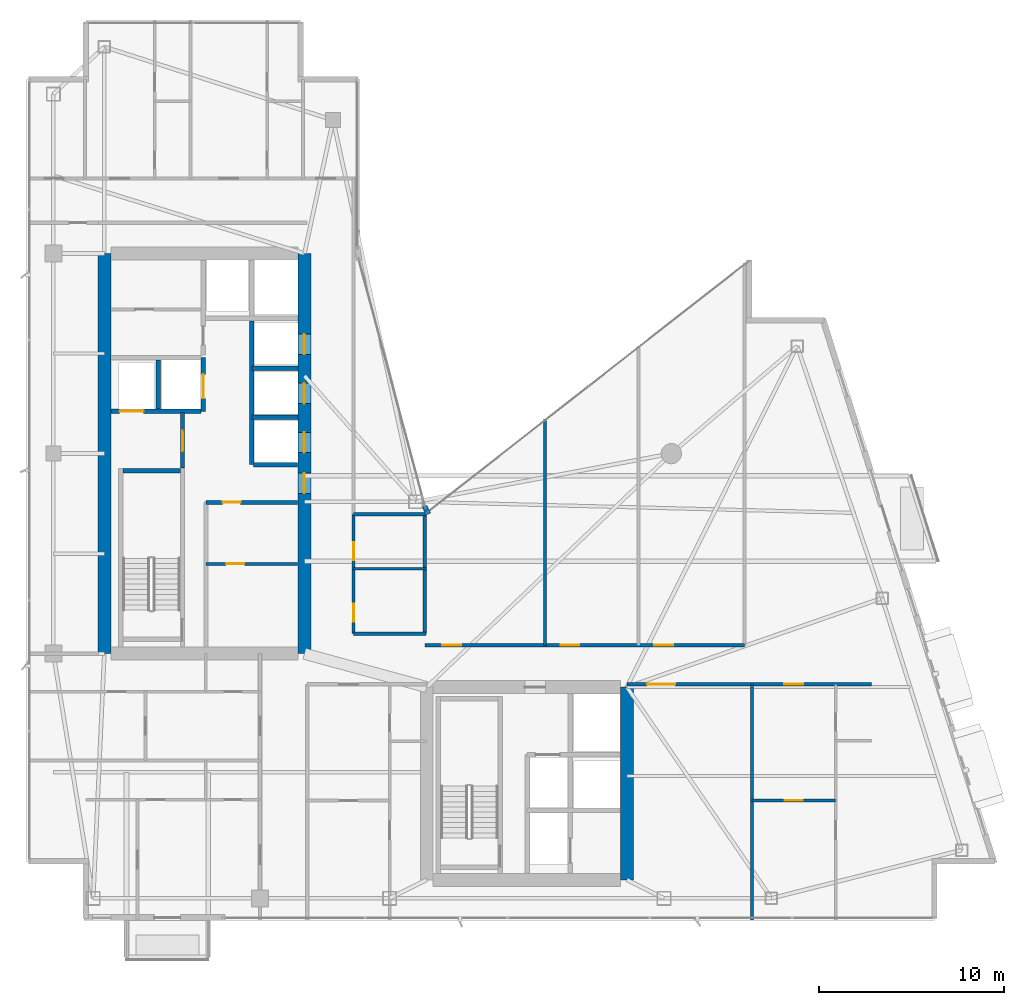
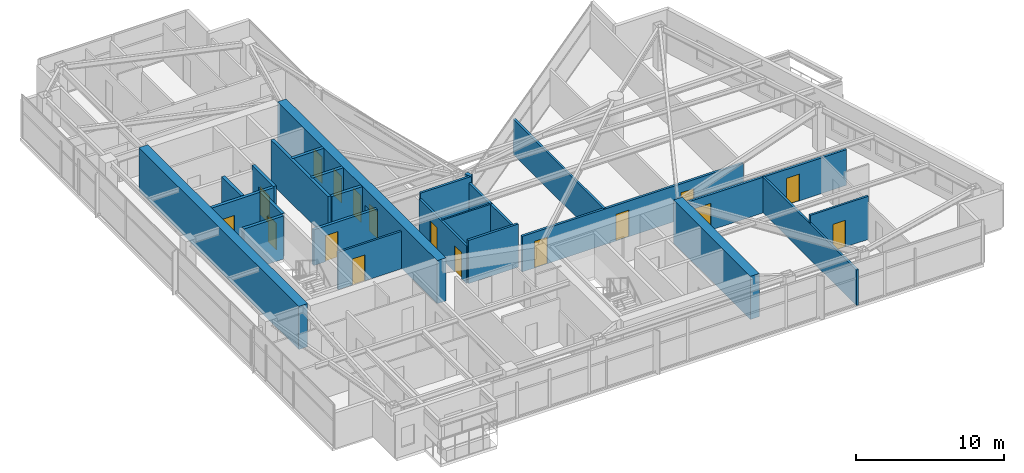
# One storey, part 25 of 30: 25 walls, 17 doors, 17 openings.
"""IFC4 building model written with IfcOpenShell, lengths in metres."""

from ifc_helpers import new_model, si_unit, direction, frame, frame_2d, origin, place, context, subcontext, project, spatial, rectangle, extrude, material, layer, layer_set, type_object, element, fill, save


model = new_model("IFC4")

# Units and contexts
model_context = context("Model", 3, precision=1e-05, world=origin(), true_north=direction((0.0, 1.0)))
body_context = subcontext(model_context, "Body", "Model", "MODEL_VIEW")
ifc_project = project(units=[si_unit("LENGTHUNIT", "METRE"), si_unit("AREAUNIT", "SQUARE_METRE"), si_unit("VOLUMEUNIT", "CUBIC_METRE"), si_unit("PLANEANGLEUNIT", "RADIAN"), si_unit("MASSUNIT", "GRAM", prefix="KILO")], contexts=[model_context])

# Site, building, storey
site_placement = place(None, origin())
site = spatial("IfcSite", under=ifc_project, at=site_placement, CompositionType="ELEMENT")
building_placement = place(site_placement, origin())
building = spatial("IfcBuilding", under=site, at=building_placement, Name="Calvorn Quay Hotel", CompositionType="ELEMENT")
storey_placement = place(building_placement, frame((0.0, 0.0, 207.199951171875)))
storey = spatial("IfcBuildingStorey", under=building, at=storey_placement, Name="L51", CompositionType="ELEMENT", Elevation=207.199951171875)

# Wall
ifc_material_1 = material(Name="Concrete C45", Category="concrete")
ifc_layer_1 = layer(ifc_material_1, 0.699951171875)
ifc_layer_set_1 = layer_set([ifc_layer_1], Name="WL-CORE-700")
wall_type_1 = type_object("IfcWallType", Name="WL-CORE-700", PredefinedType="SHEAR", material=ifc_layer_set_1)
wall_1_placement = place(storey_placement, frame((4.199951171875, 16.800048828125, 0.0), z_axis=(0.0, 0.0, 1.0), x_axis=(0.0, 1.0, 0.0)))
element("IfcWall", 1, at=wall_1_placement, inside=storey, type_object=wall_type_1, Name="West Core Shear Wall W (L51)", PredefinedType="SHEAR", context=body_context, shape_type="SweptSolid", body=[
    extrude(rectangle(XDim=21.599853515625, YDim=0.699951171875, at=frame_2d((10.7998046875, 0.0))), origin(), (0.0, 0.0, 1.0), 3.56005859375),
])

# Wall, openings, doors
wall_2_placement = place(storey_placement, frame((15.0, 16.800048828125, 0.0), z_axis=(0.0, 0.0, 1.0), x_axis=(0.0, 1.0, 0.0)))
wall_2 = element("IfcWall", 2, at=wall_2_placement, inside=storey, type_object=wall_type_1, Name="West Core Shear Wall E (L51)", PredefinedType="SHEAR", context=body_context, shape_type="SweptSolid", body=[
    extrude(rectangle(XDim=21.599853515625, YDim=0.699951171875, at=frame_2d((10.7998046875, 0.0))), origin(), (0.0, 0.0, 1.0), 3.56005859375),
])
opening_1_placement = place(wall_2_placement, frame((8.64990234375, 0.0, 0.0)))
opening_1 = element("IfcOpeningElement", 3, at=opening_1_placement, cuts=wall_2, Name="Opening D-L51-CW1", PredefinedType="OPENING", context=body_context, shape_type="SweptSolid", body=[
    extrude(rectangle(XDim=1.10009765625, YDim=2.199951171875, at=frame_2d((0.550048828125, 1.10009765625))), frame((0.0, 0.35986328125, 0.0), z_axis=(0.0, -1.0, 0.0), x_axis=(1.0, 0.0, 0.0)), (0.0, 0.0, 1.0), 0.719970703125),
])
opening_2_placement = place(wall_2_placement, frame((10.85009765625, 0.0, 0.0)))
opening_2 = element("IfcOpeningElement", 4, at=opening_2_placement, cuts=wall_2, Name="Opening LD-L51-M1", PredefinedType="OPENING", context=body_context, shape_type="SweptSolid", body=[
    extrude(rectangle(XDim=1.10009765625, YDim=2.199951171875, at=frame_2d((0.550048828125, 1.10009765625))), frame((0.0, 0.35986328125, 0.0), z_axis=(0.0, -1.0, 0.0), x_axis=(1.0, 0.0, 0.0)), (0.0, 0.0, 1.0), 0.719970703125),
])
opening_3_placement = place(wall_2_placement, frame((13.5, 0.0, 0.0)))
opening_3 = element("IfcOpeningElement", 5, at=opening_3_placement, cuts=wall_2, Name="Opening LD-L51-M2", PredefinedType="OPENING", context=body_context, shape_type="SweptSolid", body=[
    extrude(rectangle(XDim=1.10009765625, YDim=2.199951171875, at=frame_2d((0.550048828125, 1.10009765625))), frame((0.0, 0.35986328125, 0.0), z_axis=(0.0, -1.0, 0.0), x_axis=(1.0, 0.0, 0.0)), (0.0, 0.0, 1.0), 0.719970703125),
])
opening_4_placement = place(wall_2_placement, frame((16.14990234375, 0.0, 0.0)))
opening_4 = element("IfcOpeningElement", 6, at=opening_4_placement, cuts=wall_2, Name="Opening LD-L51-M3", PredefinedType="OPENING", context=body_context, shape_type="SweptSolid", body=[
    extrude(rectangle(XDim=1.10009765625, YDim=2.199951171875, at=frame_2d((0.550048828125, 1.10009765625))), frame((0.0, 0.35986328125, 0.0), z_axis=(0.0, -1.0, 0.0), x_axis=(1.0, 0.0, 0.0)), (0.0, 0.0, 1.0), 0.719970703125),
])
ifc_material_2 = material(Name="Smoke-Sealed Steel Class A Fire Door", Category="steel")
door_type_1 = type_object("IfcDoorType", Name="DR-FFLOBBY-1100", OperationType="NOTDEFINED", PredefinedType="DOOR", material=ifc_material_2)
door_1_placement = place(opening_1_placement, origin())
door_1 = element("IfcDoor", 7, at=door_1_placement, inside=storey, type_object=door_type_1, Name="West Core Vestibule Fire Door (L51)", OperationType="SINGLE_SWING_RIGHT", OverallHeight=2.199951171875, OverallWidth=1.10009765625, PredefinedType="DOOR", context=body_context, shape_type="SweptSolid", body=[
    extrude(rectangle(XDim=1.10009765625, YDim=2.199951171875, at=frame_2d((0.550048828125, 1.10009765625))), frame((0.0, 0.02490234375, 0.0), z_axis=(0.0, -1.0, 0.0), x_axis=(1.0, 0.0, 0.0)), (0.0, 0.0, 1.0), 0.050048828125),
])
fill(opening_1, door_1)
ifc_material_3 = material(Name="Brushed Stainless Steel Sliding Lift Landing Door", Category="steel")
door_type_2 = type_object("IfcDoorType", Name="DR-LIFT-PASS-1100", OperationType="NOTDEFINED", PredefinedType="DOOR", material=ifc_material_3)
door_2_placement = place(opening_2_placement, origin())
door_2 = element("IfcDoor", 8, at=door_2_placement, inside=storey, type_object=door_type_2, Name="Mid-Rise Lift PL-M1 Landing Door (L51)", OperationType="DOUBLE_DOOR_SLIDING", OverallHeight=2.199951171875, OverallWidth=1.10009765625, PredefinedType="DOOR", context=body_context, shape_type="SweptSolid", body=[
    extrude(rectangle(XDim=1.10009765625, YDim=2.199951171875, at=frame_2d((0.550048828125, 1.10009765625))), frame((0.0, 0.02490234375, 0.0), z_axis=(0.0, -1.0, 0.0), x_axis=(1.0, 0.0, 0.0)), (0.0, 0.0, 1.0), 0.050048828125),
])
fill(opening_2, door_2)
door_3_placement = place(opening_3_placement, origin())
door_3 = element("IfcDoor", 9, at=door_3_placement, inside=storey, type_object=door_type_2, Name="Mid-Rise Lift PL-M2 Landing Door (L51)", OperationType="DOUBLE_DOOR_SLIDING", OverallHeight=2.199951171875, OverallWidth=1.10009765625, PredefinedType="DOOR", context=body_context, shape_type="SweptSolid", body=[
    extrude(rectangle(XDim=1.10009765625, YDim=2.199951171875, at=frame_2d((0.550048828125, 1.10009765625))), frame((0.0, 0.02490234375, 0.0), z_axis=(0.0, -1.0, 0.0), x_axis=(1.0, 0.0, 0.0)), (0.0, 0.0, 1.0), 0.050048828125),
])
fill(opening_3, door_3)
door_4_placement = place(opening_4_placement, origin())
door_4 = element("IfcDoor", 10, at=door_4_placement, inside=storey, type_object=door_type_2, Name="Mid-Rise Lift PL-M3 Landing Door (L51)", OperationType="DOUBLE_DOOR_SLIDING", OverallHeight=2.199951171875, OverallWidth=1.10009765625, PredefinedType="DOOR", context=body_context, shape_type="SweptSolid", body=[
    extrude(rectangle(XDim=1.10009765625, YDim=2.199951171875, at=frame_2d((0.550048828125, 1.10009765625))), frame((0.0, 0.02490234375, 0.0), z_axis=(0.0, -1.0, 0.0), x_axis=(1.0, 0.0, 0.0)), (0.0, 0.0, 1.0), 0.050048828125),
])
fill(opening_4, door_4)

# Walls
wall_3_placement = place(storey_placement, frame((32.39990234375, 4.60009765625, 0.0), z_axis=(0.0, 0.0, 1.0), x_axis=(0.0, 1.0, 0.0)))
element("IfcWall", 11, at=wall_3_placement, inside=storey, type_object=wall_type_1, Name="East Core Shear Wall E (L51)", PredefinedType="SHEAR", context=body_context, shape_type="SweptSolid", body=[
    extrude(rectangle(XDim=10.39990234375, YDim=0.699951171875, at=frame_2d((5.199951171875, 0.0))), origin(), (0.0, 0.0, 1.0), 3.56005859375),
])
ifc_material_4 = material(Name="Acoustic Fireboard Steel-Stud Partition", Category="steel")
ifc_layer_2 = layer(ifc_material_4, 0.179931640625)
ifc_layer_set_2 = layer_set([ifc_layer_2], Name="WL-CORR-FIRE-180")
wall_type_2 = type_object("IfcWallType", Name="WL-CORR-FIRE-180", PredefinedType="PARTITIONING", material=ifc_layer_set_2)
wall_4_placement = place(storey_placement, frame((17.64990234375, 17.8798828125, 0.0), z_axis=(0.0, 0.0, 1.0), x_axis=(1.0, 0.0, 0.0)))
element("IfcWall", 12, at=wall_4_placement, inside=storey, type_object=wall_type_2, Name="Partition Wall L51-WL-HK-S", PredefinedType="PARTITIONING", context=body_context, shape_type="SweptSolid", body=[
    extrude(rectangle(XDim=3.900146484375, YDim=0.179931640625, at=frame_2d((1.9501953125, 0.0))), origin(), (0.0, 0.0, 1.0), 3.56005859375),
])
wall_5_placement = place(storey_placement, frame((17.64990234375, 24.320068359375, 0.0), z_axis=(0.0, 0.0, 1.0), x_axis=(1.0, 0.0, 0.0)))
element("IfcWall", 13, at=wall_5_placement, inside=storey, type_object=wall_type_2, Name="Partition Wall L51-WL-HK-N", PredefinedType="PARTITIONING", context=body_context, shape_type="SweptSolid", body=[
    extrude(rectangle(XDim=3.9501953125, YDim=0.179931640625, at=frame_2d((1.97509765625, 0.0))), origin(), (0.0, 0.0, 1.0), 3.56005859375),
])
wall_6_placement = place(storey_placement, frame((21.5, 17.8798828125, 0.0), z_axis=(0.0, 0.0, 1.0), x_axis=(0.0, 1.0, 0.0)))
element("IfcWall", 14, at=wall_6_placement, inside=storey, type_object=wall_type_2, Name="Partition Wall L51-WL-HK-E", PredefinedType="PARTITIONING", context=body_context, shape_type="SweptSolid", body=[
    extrude(rectangle(XDim=6.440185546875, YDim=0.179931640625, at=frame_2d((3.22021484375, 0.0))), origin(), (0.0, 0.0, 1.0), 3.090087890625),
])

# Wall, openings, doors
wall_7_placement = place(storey_placement, frame((17.64990234375, 17.8798828125, 0.0), z_axis=(0.0, 0.0, 1.0), x_axis=(0.0, 1.0, 0.0)))
wall_7 = element("IfcWall", 15, at=wall_7_placement, inside=storey, type_object=wall_type_2, Name="Partition Wall L51-WL-HK-W", PredefinedType="PARTITIONING", context=body_context, shape_type="SweptSolid", body=[
    extrude(rectangle(XDim=6.440185546875, YDim=0.179931640625, at=frame_2d((3.22021484375, 0.0))), origin(), (0.0, 0.0, 1.0), 3.090087890625),
])
opening_5_placement = place(wall_7_placement, frame((0.64990234375, 0.0, 0.0)))
opening_5 = element("IfcOpeningElement", 16, at=opening_5_placement, cuts=wall_7, Name="Opening D-L51-HK", PredefinedType="OPENING", context=body_context, shape_type="SweptSolid", body=[
    extrude(rectangle(XDim=0.97998046875, YDim=2.14990234375, at=frame_2d((0.489990234375, 1.074951171875))), frame((0.0, 0.099853515625, 0.0), z_axis=(0.0, -1.0, 0.0), x_axis=(1.0, 0.0, 0.0)), (0.0, 0.0, 1.0), 0.199951171875),
])
opening_6_placement = place(wall_7_placement, frame((3.969970703125, 0.0, 0.0)))
opening_6 = element("IfcOpeningElement", 17, at=opening_6_placement, cuts=wall_7, Name="Opening D-L51-NCP", PredefinedType="OPENING", context=body_context, shape_type="SweptSolid", body=[
    extrude(rectangle(XDim=0.9599609375, YDim=2.199951171875, at=frame_2d((0.47998046875, 1.10009765625))), frame((0.0, 0.099853515625, 0.0), z_axis=(0.0, -1.0, 0.0), x_axis=(1.0, 0.0, 0.0)), (0.0, 0.0, 1.0), 0.199951171875),
])
ifc_material_5 = material(Name="Painted Steel Housekeeping/Riser Fire Door", Category="steel")
door_type_3 = type_object("IfcDoorType", Name="DR-SERVICE-980", OperationType="NOTDEFINED", PredefinedType="DOOR", material=ifc_material_5)
door_5_placement = place(opening_5_placement, origin())
door_5 = element("IfcDoor", 18, at=door_5_placement, inside=storey, type_object=door_type_3, Name="Floor Housekeeping Door (L51)", OperationType="SINGLE_SWING_LEFT", OverallHeight=2.14990234375, OverallWidth=0.97998046875, PredefinedType="DOOR", context=body_context, shape_type="SweptSolid", body=[
    extrude(rectangle(XDim=0.97998046875, YDim=2.14990234375, at=frame_2d((0.489990234375, 1.074951171875))), frame((0.0, 0.02490234375, 0.0), z_axis=(0.0, -1.0, 0.0), x_axis=(1.0, 0.0, 0.0)), (0.0, 0.0, 1.0), 0.050048828125),
])
fill(opening_5, door_5)
ifc_material_6 = material(Name="Solid Timber Internal Suite Door", Category="wood")
door_type_4 = type_object("IfcDoorType", Name="DR-SUITE-INT-960", OperationType="NOTDEFINED", PredefinedType="DOOR", material=ifc_material_6)
door_6_placement = place(opening_6_placement, origin())
door_6 = element("IfcDoor", 19, at=door_6_placement, inside=storey, type_object=door_type_4, Name="Reading Alcove Door (L51)", OperationType="SINGLE_SWING_RIGHT", OverallHeight=2.199951171875, OverallWidth=0.9599609375, PredefinedType="DOOR", context=body_context, shape_type="SweptSolid", body=[
    extrude(rectangle(XDim=0.9599609375, YDim=2.199951171875, at=frame_2d((0.47998046875, 1.10009765625))), frame((0.0, 0.02490234375, 0.0), z_axis=(0.0, -1.0, 0.0), x_axis=(1.0, 0.0, 0.0)), (0.0, 0.0, 1.0), 0.050048828125),
])
fill(opening_6, door_6)

wall_8_placement = place(storey_placement, frame((32.39990234375, 15.14990234375, 0.0), z_axis=(0.0, 0.0, 1.0), x_axis=(1.0, 0.0, 0.0)))
wall_8 = element("IfcWall", 20, at=wall_8_placement, inside=storey, type_object=wall_type_2, Name="Partition Wall L51-WL-CORR-SE-S", PredefinedType="PARTITIONING", context=body_context, shape_type="SweptSolid", body=[
    extrude(rectangle(XDim=13.2001953125, YDim=0.179931640625, at=frame_2d((6.60009765625, 0.0))), origin(), (0.0, 0.0, 1.0), 2.93994140625),
])
opening_7_placement = place(wall_8_placement, frame((1.10009765625, 0.0, 0.0)))
opening_7 = element("IfcOpeningElement", 21, at=opening_7_placement, cuts=wall_8, Name="Opening D-L51-SEM", PredefinedType="OPENING", context=body_context, shape_type="SweptSolid", body=[
    extrude(rectangle(XDim=1.5, YDim=2.219970703125, at=frame_2d((0.75, 1.10986328125))), frame((0.0, 0.099853515625, 0.0), z_axis=(0.0, -1.0, 0.0), x_axis=(1.0, 0.0, 0.0)), (0.0, 0.0, 1.0), 0.199951171875),
])
opening_8_placement = place(wall_8_placement, frame((8.5, 0.0, 0.0)))
opening_8 = element("IfcOpeningElement", 22, at=opening_8_placement, cuts=wall_8, Name="Opening D-L51-U06", PredefinedType="OPENING", context=body_context, shape_type="SweptSolid", body=[
    extrude(rectangle(XDim=1.02001953125, YDim=2.199951171875, at=frame_2d((0.510009765625, 1.10009765625))), frame((0.0, 0.099853515625, 0.0), z_axis=(0.0, -1.0, 0.0), x_axis=(1.0, 0.0, 0.0)), (0.0, 0.0, 1.0), 0.199951171875),
])
ifc_material_7 = material(Name="Solid-Core Walnut Veneer Hotel Fire Door")
door_type_5 = type_object("IfcDoorType", Name="DR-GUEST-ENTRY-1020", OperationType="NOTDEFINED", PredefinedType="DOOR", material=ifc_material_7)
door_7_placement = place(opening_8_placement, origin())
door_7 = element("IfcDoor", 23, at=door_7_placement, inside=storey, type_object=door_type_5, Name="South-East Unit Door U06 (L51)", OperationType="SINGLE_SWING_RIGHT", OverallHeight=2.199951171875, OverallWidth=1.02001953125, PredefinedType="DOOR", context=body_context, shape_type="SweptSolid", body=[
    extrude(rectangle(XDim=1.02001953125, YDim=2.199951171875, at=frame_2d((0.510009765625, 1.10009765625))), frame((0.0, 0.02490234375, 0.0), z_axis=(0.0, -1.0, 0.0), x_axis=(1.0, 0.0, 0.0)), (0.0, 0.0, 1.0), 0.050048828125),
])
fill(opening_8, door_7)
ifc_material_8 = material(Name="Solid-Core Walnut Double Suite Entry Door")
door_type_6 = type_object("IfcDoorType", Name="DR-SUITE-DBL-1500", OperationType="NOTDEFINED", PredefinedType="DOOR", material=ifc_material_8)
door_8_placement = place(opening_7_placement, origin())
door_8 = element("IfcDoor", 24, at=door_8_placement, inside=storey, type_object=door_type_6, Name="Conference Salon Door (L51)", OperationType="SINGLE_SWING_LEFT", OverallHeight=2.219970703125, OverallWidth=1.5, PredefinedType="DOOR", context=body_context, shape_type="SweptSolid", body=[
    extrude(rectangle(XDim=1.5, YDim=2.219970703125, at=frame_2d((0.75, 1.10986328125))), frame((0.0, 0.02490234375, 0.0), z_axis=(0.0, -1.0, 0.0), x_axis=(1.0, 0.0, 0.0)), (0.0, 0.0, 1.0), 0.050048828125),
])
fill(opening_7, door_8)

wall_9_placement = place(storey_placement, frame((21.5, 17.25, 0.0), z_axis=(0.0, 0.0, 1.0), x_axis=(1.0, 0.0, 0.0)))
wall_9 = element("IfcWall", 25, at=wall_9_placement, inside=storey, type_object=wall_type_2, Name="Partition Wall L51-WL-CORR-NE-N", PredefinedType="PARTITIONING", context=body_context, shape_type="SweptSolid", body=[
    extrude(rectangle(XDim=17.25, YDim=0.179931640625, at=frame_2d((8.625, 0.0))), origin(), (0.0, 0.0, 1.0), 2.93994140625),
])
opening_9_placement = place(wall_9_placement, frame((0.949951171875, 0.0, 0.0)))
opening_9 = element("IfcOpeningElement", 26, at=opening_9_placement, cuts=wall_9, Name="Opening D-L51-NS1", PredefinedType="OPENING", context=body_context, shape_type="SweptSolid", body=[
    extrude(rectangle(XDim=1.02001953125, YDim=2.199951171875, at=frame_2d((0.510009765625, 1.10009765625))), frame((0.0, 0.099853515625, 0.0), z_axis=(0.0, -1.0, 0.0), x_axis=(1.0, 0.0, 0.0)), (0.0, 0.0, 1.0), 0.199951171875),
])
opening_10_placement = place(wall_9_placement, frame((7.320068359375, 0.0, 0.0)))
opening_10 = element("IfcOpeningElement", 27, at=opening_10_placement, cuts=wall_9, Name="Opening D-L51-NS2", PredefinedType="OPENING", context=body_context, shape_type="SweptSolid", body=[
    extrude(rectangle(XDim=1.02001953125, YDim=2.199951171875, at=frame_2d((0.510009765625, 1.10009765625))), frame((0.0, 0.099853515625, 0.0), z_axis=(0.0, -1.0, 0.0), x_axis=(1.0, 0.0, 0.0)), (0.0, 0.0, 1.0), 0.199951171875),
])
opening_11_placement = place(wall_9_placement, frame((12.3798828125, 0.0, 0.0)))
opening_11 = element("IfcOpeningElement", 28, at=opening_11_placement, cuts=wall_9, Name="Opening D-L51-NS3", PredefinedType="OPENING", context=body_context, shape_type="SweptSolid", body=[
    extrude(rectangle(XDim=1.02001953125, YDim=2.199951171875, at=frame_2d((0.510009765625, 1.10009765625))), frame((0.0, 0.099853515625, 0.0), z_axis=(0.0, -1.0, 0.0), x_axis=(1.0, 0.0, 0.0)), (0.0, 0.0, 1.0), 0.199951171875),
])
door_9_placement = place(opening_9_placement, origin())
door_9 = element("IfcDoor", 29, at=door_9_placement, inside=storey, type_object=door_type_5, Name="Conservatory Salon Door 1 (L51)", OperationType="SINGLE_SWING_RIGHT", OverallHeight=2.199951171875, OverallWidth=1.02001953125, PredefinedType="DOOR", context=body_context, shape_type="SweptSolid", body=[
    extrude(rectangle(XDim=1.02001953125, YDim=2.199951171875, at=frame_2d((0.510009765625, 1.10009765625))), frame((0.0, 0.02490234375, 0.0), z_axis=(0.0, -1.0, 0.0), x_axis=(1.0, 0.0, 0.0)), (0.0, 0.0, 1.0), 0.050048828125),
])
fill(opening_9, door_9)
door_10_placement = place(opening_10_placement, origin())
door_10 = element("IfcDoor", 30, at=door_10_placement, inside=storey, type_object=door_type_5, Name="Conservatory Salon Door 2 (L51)", OperationType="SINGLE_SWING_LEFT", OverallHeight=2.199951171875, OverallWidth=1.02001953125, PredefinedType="DOOR", context=body_context, shape_type="SweptSolid", body=[
    extrude(rectangle(XDim=1.02001953125, YDim=2.199951171875, at=frame_2d((0.510009765625, 1.10009765625))), frame((0.0, 0.02490234375, 0.0), z_axis=(0.0, -1.0, 0.0), x_axis=(1.0, 0.0, 0.0)), (0.0, 0.0, 1.0), 0.050048828125),
])
fill(opening_10, door_10)
door_11_placement = place(opening_11_placement, origin())
door_11 = element("IfcDoor", 31, at=door_11_placement, inside=storey, type_object=door_type_5, Name="Conservatory Salon Door 3 (L51)", OperationType="SINGLE_SWING_RIGHT", OverallHeight=2.199951171875, OverallWidth=1.02001953125, PredefinedType="DOOR", context=body_context, shape_type="SweptSolid", body=[
    extrude(rectangle(XDim=1.02001953125, YDim=2.199951171875, at=frame_2d((0.510009765625, 1.10009765625))), frame((0.0, 0.02490234375, 0.0), z_axis=(0.0, -1.0, 0.0), x_axis=(1.0, 0.0, 0.0)), (0.0, 0.0, 1.0), 0.050048828125),
])
fill(opening_11, door_11)

# Walls
ifc_material_9 = material(Name="Moisture-Resistant Tile-Backed Partition")
ifc_layer_3 = layer(ifc_material_9, 0.125)
ifc_layer_set_3 = layer_set([ifc_layer_3], Name="WL-ENSUITE-125")
wall_type_3 = type_object("IfcWallType", Name="WL-ENSUITE-125", PredefinedType="PARTITIONING", material=ifc_layer_set_3)
wall_10_placement = place(storey_placement, frame((17.64990234375, 21.3798828125, 0.0), z_axis=(0.0, 0.0, 1.0), x_axis=(1.0, 0.0, 0.0)))
element("IfcWall", 32, at=wall_10_placement, inside=storey, type_object=wall_type_3, Name="Partition Wall L51-WL-HK-M", PredefinedType="PARTITIONING", context=body_context, shape_type="SweptSolid", body=[
    extrude(rectangle(XDim=3.900146484375, YDim=0.125, at=frame_2d((1.9501953125, 0.0))), origin(), (0.0, 0.0, 1.0), 3.090087890625),
])
ifc_material_10 = material(Name="Concrete C40", Category="concrete")
ifc_layer_4 = layer(ifc_material_10, 0.320068359375)
ifc_layer_set_4 = layer_set([ifc_layer_4], Name="WL-EXT-SPANDREL-320")
wall_type_4 = type_object("IfcWallType", Name="WL-EXT-SPANDREL-320", PredefinedType="SOLIDWALL", material=ifc_layer_set_4)
wall_11_placement = place(storey_placement, frame((21.679931640625, 24.340087890625, 0.0), z_axis=(0.0, 0.0, 1.0), x_axis=(-0.40758134973, 0.913168901875, 0.0)))
element("IfcWall", 33, at=wall_11_placement, inside=storey, type_object=wall_type_4, Name="Inner Court Corner Pier L51-ICJ1", PredefinedType="SOLIDWALL", context=body_context, shape_type="SweptSolid", body=[
    extrude(rectangle(XDim=0.470703125, YDim=0.280029296875, at=frame_2d((0.2353515625, 0.0))), origin(), (0.0, 0.0, 1.0), 3.56005859375),
])

# Wall, opening, door
ifc_material_11 = material(Name="Double-Stud Acoustic Gypsum Partition")
ifc_layer_5 = layer(ifc_material_11, 0.159912109375)
ifc_layer_set_5 = layer_set([ifc_layer_5], Name="WL-INTERSUITE-160")
wall_type_5 = type_object("IfcWallType", Name="WL-INTERSUITE-160", PredefinedType="PARTITIONING", material=ifc_layer_set_5)
wall_12_placement = place(storey_placement, frame((9.679931640625, 21.64990234375, 0.0), z_axis=(0.0, 0.0, 1.0), x_axis=(1.0, 0.0, 0.0)))
wall_12 = element("IfcWall", 34, at=wall_12_placement, inside=storey, type_object=wall_type_5, Name="Partition Wall L51-WL-CWW-FR-SPLIT", PredefinedType="PARTITIONING", context=body_context, shape_type="SweptSolid", body=[
    extrude(rectangle(XDim=4.949951171875, YDim=0.159912109375, at=frame_2d((2.47509765625, 0.0))), origin(), (0.0, 0.0, 1.0), 3.090087890625),
])
opening_12_placement = place(wall_12_placement, frame((1.10009765625, 0.0, 0.0)))
opening_12 = element("IfcOpeningElement", 35, at=opening_12_placement, cuts=wall_12, Name="Opening D-L51-FRL1", PredefinedType="OPENING", context=body_context, shape_type="SweptSolid", body=[
    extrude(rectangle(XDim=0.97998046875, YDim=2.14990234375, at=frame_2d((0.489990234375, 1.074951171875))), frame((0.0, 0.08984375, 0.0), z_axis=(0.0, -1.0, 0.0), x_axis=(1.0, 0.0, 0.0)), (0.0, 0.0, 1.0), 0.179931640625),
])
door_12_placement = place(opening_12_placement, origin())
door_12 = element("IfcDoor", 36, at=door_12_placement, inside=storey, type_object=door_type_3, Name="Linen Store Room Door (L51)", OperationType="SINGLE_SWING_LEFT", OverallHeight=2.14990234375, OverallWidth=0.97998046875, PredefinedType="DOOR", context=body_context, shape_type="SweptSolid", body=[
    extrude(rectangle(XDim=0.97998046875, YDim=2.14990234375, at=frame_2d((0.489990234375, 1.074951171875))), frame((0.0, 0.02490234375, 0.0), z_axis=(0.0, -1.0, 0.0), x_axis=(1.0, 0.0, 0.0)), (0.0, 0.0, 1.0), 0.050048828125),
])
fill(opening_12, door_12)

wall_13_placement = place(storey_placement, frame((39.14990234375, 8.8798828125, 0.0), z_axis=(0.0, 0.0, 1.0), x_axis=(1.0, 0.0, 0.0)))
wall_13 = element("IfcWall", 37, at=wall_13_placement, inside=storey, type_object=wall_type_5, Name="Partition Wall L51-WL-U06-MSP", PredefinedType="PARTITIONING", context=body_context, shape_type="SweptSolid", body=[
    extrude(rectangle(XDim=4.52001953125, YDim=0.159912109375, at=frame_2d((2.260009765625, 0.0))), origin(), (0.0, 0.0, 1.0), 3.56005859375),
])
opening_13_placement = place(wall_13_placement, frame((1.780029296875, 0.0, 0.0)))
opening_13 = element("IfcOpeningElement", 38, at=opening_13_placement, cuts=wall_13, Name="Opening D-L51-M06", PredefinedType="OPENING", context=body_context, shape_type="SweptSolid", body=[
    extrude(rectangle(XDim=0.9599609375, YDim=2.199951171875, at=frame_2d((0.47998046875, 1.10009765625))), frame((0.0, 0.08984375, 0.0), z_axis=(0.0, -1.0, 0.0), x_axis=(1.0, 0.0, 0.0)), (0.0, 0.0, 1.0), 0.179931640625),
])
door_13_placement = place(opening_13_placement, origin())
door_13 = element("IfcDoor", 39, at=door_13_placement, inside=storey, type_object=door_type_4, Name="Suite Bedroom Door 06", OperationType="SINGLE_SWING_LEFT", OverallHeight=2.199951171875, OverallWidth=0.9599609375, PredefinedType="DOOR", context=body_context, shape_type="SweptSolid", body=[
    extrude(rectangle(XDim=0.9599609375, YDim=2.199951171875, at=frame_2d((0.47998046875, 1.10009765625))), frame((0.0, 0.02490234375, 0.0), z_axis=(0.0, -1.0, 0.0), x_axis=(1.0, 0.0, 0.0)), (0.0, 0.0, 1.0), 0.050048828125),
])
fill(opening_13, door_13)

# Walls
wall_14_placement = place(storey_placement, frame((39.14990234375, 2.43994140625, 0.0), z_axis=(0.0, 0.0, 1.0), x_axis=(0.0, 1.0, 0.0)))
element("IfcWall", 40, at=wall_14_placement, inside=storey, type_object=wall_type_5, Name="Partition Wall L51-WL-SE-DIV-1", PredefinedType="PARTITIONING", context=body_context, shape_type="SweptSolid", body=[
    extrude(rectangle(XDim=12.7099609375, YDim=0.159912109375, at=frame_2d((6.35498046875, 0.0))), origin(), (0.0, 0.0, 1.0), 2.93994140625),
])
wall_15_placement = place(storey_placement, frame((27.969970703125, 17.25, 0.0), z_axis=(0.0, 0.0, 1.0), x_axis=(0.0, 1.0, 0.0)))
element("IfcWall", 41, at=wall_15_placement, inside=storey, type_object=wall_type_5, Name="Partition Wall L51-WL-NE-DIV-1", PredefinedType="PARTITIONING", context=body_context, shape_type="SweptSolid", body=[
    extrude(rectangle(XDim=12.2099609375, YDim=0.159912109375, at=frame_2d((6.10498046875, 0.0))), origin(), (0.0, 0.0, 1.0), 2.93994140625),
])

# Wall, opening, door
ifc_material_12 = material(Name="Autoclaved Aerated Masonry Block", Category="masonry")
ifc_layer_6 = layer(ifc_material_12, 0.219970703125)
ifc_layer_set_6 = layer_set([ifc_layer_6], Name="WL-LOBBY-FIRE-220")
wall_type_6 = type_object("IfcWallType", Name="WL-LOBBY-FIRE-220", PredefinedType="SOLIDWALL", material=ifc_layer_set_6)
wall_16_placement = place(storey_placement, frame((9.679931640625, 24.969970703125, 0.0), z_axis=(0.0, 0.0, 1.0), x_axis=(1.0, 0.0, 0.0)))
wall_16 = element("IfcWall", 42, at=wall_16_placement, inside=storey, type_object=wall_type_6, Name="Partition Wall L51-WL-CWW-FR-N", PredefinedType="SOLIDWALL", context=body_context, shape_type="SweptSolid", body=[
    extrude(rectangle(XDim=4.949951171875, YDim=0.219970703125, at=frame_2d((2.47509765625, 0.0))), origin(), (0.0, 0.0, 1.0), 2.93994140625),
])
opening_14_placement = place(wall_16_placement, frame((0.89990234375, 0.0, 0.0)))
opening_14 = element("IfcOpeningElement", 43, at=opening_14_placement, cuts=wall_16, Name="Opening D-L51-FRL2", PredefinedType="OPENING", context=body_context, shape_type="SweptSolid", body=[
    extrude(rectangle(XDim=0.97998046875, YDim=2.14990234375, at=frame_2d((0.489990234375, 1.074951171875))), frame((0.0, 0.119873046875, 0.0), z_axis=(0.0, -1.0, 0.0), x_axis=(1.0, 0.0, 0.0)), (0.0, 0.0, 1.0), 0.239990234375),
])
door_14_placement = place(opening_14_placement, origin())
door_14 = element("IfcDoor", 44, at=door_14_placement, inside=storey, type_object=door_type_3, Name="Beverage Pantry Door (L51)", OperationType="SINGLE_SWING_RIGHT", OverallHeight=2.14990234375, OverallWidth=0.97998046875, PredefinedType="DOOR", context=body_context, shape_type="SweptSolid", body=[
    extrude(rectangle(XDim=0.97998046875, YDim=2.14990234375, at=frame_2d((0.489990234375, 1.074951171875))), frame((0.0, 0.02490234375, 0.0), z_axis=(0.0, -1.0, 0.0), x_axis=(1.0, 0.0, 0.0)), (0.0, 0.0, 1.0), 0.050048828125),
])
fill(opening_14, door_14)

# Walls
ifc_material_13 = material(Name="Concrete C40", Category="concrete")
ifc_layer_7 = layer(ifc_material_13, 0.239990234375)
ifc_layer_set_7 = layer_set([ifc_layer_7], Name="WL-SHAFT-240")
wall_type_7 = type_object("IfcWallType", Name="WL-SHAFT-240", PredefinedType="SOLIDWALL", material=ifc_layer_set_7)
wall_17_placement = place(storey_placement, frame((5.199951171875, 26.669921875, 0.0), z_axis=(0.0, 0.0, 1.0), x_axis=(1.0, 0.0, 0.0)))
element("IfcWall", 45, at=wall_17_placement, inside=storey, type_object=wall_type_7, Name="Stair STW Shaft Wall N (L51)", PredefinedType="SOLIDWALL", context=body_context, shape_type="SweptSolid", body=[
    extrude(rectangle(XDim=3.10009765625, YDim=0.239990234375, at=frame_2d((1.550048828125, 0.0))), origin(), (0.0, 0.0, 1.0), 3.56005859375),
])
for number, where, z_axis, x_axis, name in (
    (46, (12.179931640625, 29.550048828125, 0.0), (0.0, 0.0, 1.0), (1.0, 0.0, 0.0), "Lift Hoistway Divider Wall PLM12 (L51)"),
    (47, (12.179931640625, 32.199951171875, 0.0), (0.0, 0.0, 1.0), (1.0, 0.0, 0.0), "Lift Hoistway Divider Wall PLM23 (L51)"),
):
    element("IfcWall", number, at=place(storey_placement, frame(where, z_axis=z_axis, x_axis=x_axis)), inside=storey, type_object=wall_type_7, Name=name, PredefinedType="SOLIDWALL", context=body_context, shape_type="SweptSolid", body=[
        extrude(rectangle(XDim=2.469970703125, YDim=0.239990234375, at=frame_2d((1.23486328125, 0.0))), origin(), (0.0, 0.0, 1.0), 3.56005859375),
    ])

# Wall, opening, door
wall_18_placement = place(storey_placement, frame((8.419921875, 26.820068359375, 0.0), z_axis=(0.0, 0.0, 1.0), x_axis=(0.0, 1.0, 0.0)))
wall_18 = element("IfcWall", 48, at=wall_18_placement, inside=storey, type_object=wall_type_7, Name="Partition Wall L51-WL-CWW-FFL-E", PredefinedType="SOLIDWALL", context=body_context, shape_type="SweptSolid", body=[
    extrude(rectangle(XDim=3.0, YDim=0.239990234375, at=frame_2d((1.5, 0.0))), origin(), (0.0, 0.0, 1.0), 3.56005859375),
])
opening_15_placement = place(wall_18_placement, frame((0.89990234375, 0.0, 0.0)))
opening_15 = element("IfcOpeningElement", 49, at=opening_15_placement, cuts=wall_18, Name="Opening D-L51-FLW", PredefinedType="OPENING", context=body_context, shape_type="SweptSolid", body=[
    extrude(rectangle(XDim=1.10009765625, YDim=2.199951171875, at=frame_2d((0.550048828125, 1.10009765625))), frame((0.0, 0.1298828125, 0.0), z_axis=(0.0, -1.0, 0.0), x_axis=(1.0, 0.0, 0.0)), (0.0, 0.0, 1.0), 0.260009765625),
])
door_15_placement = place(opening_15_placement, origin())
door_15 = element("IfcDoor", 50, at=door_15_placement, inside=storey, type_object=door_type_1, Name="West Firefighting Lobby Fire Door (L51)", OperationType="SINGLE_SWING_RIGHT", OverallHeight=2.199951171875, OverallWidth=1.10009765625, PredefinedType="DOOR", context=body_context, shape_type="SweptSolid", body=[
    extrude(rectangle(XDim=1.10009765625, YDim=2.199951171875, at=frame_2d((0.550048828125, 1.10009765625))), frame((0.0, 0.02490234375, 0.0), z_axis=(0.0, -1.0, 0.0), x_axis=(1.0, 0.0, 0.0)), (0.0, 0.0, 1.0), 0.050048828125),
])
fill(opening_15, door_15)

wall_19_placement = place(storey_placement, frame((4.570068359375, 29.8798828125, 0.0), z_axis=(0.0, 0.0, 1.0), x_axis=(1.0, 0.0, 0.0)))
wall_19 = element("IfcWall", 51, at=wall_19_placement, inside=storey, type_object=wall_type_7, Name="Partition Wall L51-WL-CWW-FLW-S", PredefinedType="SOLIDWALL", context=body_context, shape_type="SweptSolid", body=[
    extrude(rectangle(XDim=4.849853515625, YDim=0.239990234375, at=frame_2d((2.4248046875, 0.0))), origin(), (0.0, 0.0, 1.0), 3.56005859375),
])
opening_16_placement = place(wall_19_placement, frame((0.449951171875, 0.0, 0.0)))
opening_16 = element("IfcOpeningElement", 52, at=opening_16_placement, cuts=wall_19, Name="Opening LD-L51-FLW1", PredefinedType="OPENING", context=body_context, shape_type="SweptSolid", body=[
    extrude(rectangle(XDim=1.300048828125, YDim=2.35009765625, at=frame_2d((0.64990234375, 1.175048828125))), frame((0.0, 0.1298828125, 0.0), z_axis=(0.0, -1.0, 0.0), x_axis=(1.0, 0.0, 0.0)), (0.0, 0.0, 1.0), 0.260009765625),
])
ifc_material_14 = material(Name="Champagne-Bronze Sliding Express Lift Landing Door")
door_type_7 = type_object("IfcDoorType", Name="DR-LIFT-SHUTTLE-1300", OperationType="NOTDEFINED", PredefinedType="DOOR", material=ifc_material_14)
door_16_placement = place(opening_16_placement, origin())
door_16 = element("IfcDoor", 53, at=door_16_placement, inside=storey, type_object=door_type_7, Name="Firefighting Lift FL-W1 Landing Door (L51)", OperationType="DOUBLE_DOOR_SLIDING", OverallHeight=2.35009765625, OverallWidth=1.300048828125, PredefinedType="DOOR", context=body_context, shape_type="SweptSolid", body=[
    extrude(rectangle(XDim=1.300048828125, YDim=2.35009765625, at=frame_2d((0.64990234375, 1.175048828125))), frame((0.0, 0.02490234375, 0.0), z_axis=(0.0, -1.0, 0.0), x_axis=(1.0, 0.0, 0.0)), (0.0, 0.0, 1.0), 0.050048828125),
])
fill(opening_16, door_16)

# Wall
wall_20_placement = place(storey_placement, frame((7.10009765625, 30.02001953125, 0.0), z_axis=(0.0, 0.0, 1.0), x_axis=(0.0, 1.0, 0.0)))
element("IfcWall", 54, at=wall_20_placement, inside=storey, type_object=wall_type_7, Name="Partition Wall L51-WL-CWW-FLW-DIV", PredefinedType="SOLIDWALL", context=body_context, shape_type="SweptSolid", body=[
    extrude(rectangle(XDim=2.6298828125, YDim=0.239990234375, at=frame_2d((1.31494140625, 0.0))), origin(), (0.0, 0.0, 1.0), 3.56005859375),
])

# Wall, opening, door
wall_21_placement = place(storey_placement, frame((9.5400390625, 29.8798828125, 0.0), z_axis=(0.0, 0.0, 1.0), x_axis=(0.0, 1.0, 0.0)))
wall_21 = element("IfcWall", 55, at=wall_21_placement, inside=storey, type_object=wall_type_7, Name="Partition Wall L51-WL-CWW-SLW-E", PredefinedType="SOLIDWALL", context=body_context, shape_type="SweptSolid", body=[
    extrude(rectangle(XDim=2.900146484375, YDim=0.239990234375, at=frame_2d((1.4501953125, 0.0))), origin(), (0.0, 0.0, 1.0), 3.56005859375),
])
opening_17_placement = place(wall_21_placement, frame((0.699951171875, 0.0, 0.0)))
opening_17 = element("IfcOpeningElement", 56, at=opening_17_placement, cuts=wall_21, Name="Opening LD-L51-SLW1", PredefinedType="OPENING", context=body_context, shape_type="SweptSolid", body=[
    extrude(rectangle(XDim=1.300048828125, YDim=2.35009765625, at=frame_2d((0.64990234375, 1.175048828125))), frame((0.0, 0.1298828125, 0.0), z_axis=(0.0, -1.0, 0.0), x_axis=(1.0, 0.0, 0.0)), (0.0, 0.0, 1.0), 0.260009765625),
])
door_17_placement = place(opening_17_placement, origin())
door_17 = element("IfcDoor", 57, at=door_17_placement, inside=storey, type_object=door_type_7, Name="Service Lift SL-W1 Landing Door (L51)", OperationType="DOUBLE_DOOR_SLIDING", OverallHeight=2.35009765625, OverallWidth=1.300048828125, PredefinedType="DOOR", context=body_context, shape_type="SweptSolid", body=[
    extrude(rectangle(XDim=1.300048828125, YDim=2.35009765625, at=frame_2d((0.64990234375, 1.175048828125))), frame((0.0, 0.02490234375, 0.0), z_axis=(0.0, -1.0, 0.0), x_axis=(1.0, 0.0, 0.0)), (0.0, 0.0, 1.0), 0.050048828125),
])
fill(opening_17, door_17)

# Walls
wall_22_placement = place(storey_placement, frame((12.25, 27.0, 0.0), z_axis=(0.0, 0.0, 1.0), x_axis=(1.0, 0.0, 0.0)))
element("IfcWall", 58, at=wall_22_placement, inside=storey, type_object=wall_type_7, Name="Partition Wall L51-WL-CWW-PLM-S", PredefinedType="SOLIDWALL", context=body_context, shape_type="SweptSolid", body=[
    extrude(rectangle(XDim=2.3798828125, YDim=0.239990234375, at=frame_2d((1.18994140625, 0.0))), origin(), (0.0, 0.0, 1.0), 3.56005859375),
])
wall_23_placement = place(storey_placement, frame((12.14990234375, 27.0, 0.0), z_axis=(0.0, 0.0, 1.0), x_axis=(0.0, 1.0, 0.0)))
element("IfcWall", 59, at=wall_23_placement, inside=storey, type_object=wall_type_7, Name="Partition Wall L51-WL-CWW-PLM-W", PredefinedType="SOLIDWALL", context=body_context, shape_type="SweptSolid", body=[
    extrude(rectangle(XDim=7.75, YDim=0.239990234375, at=frame_2d((3.875, 0.0))), origin(), (0.0, 0.0, 1.0), 3.56005859375),
])

save(model, "model.ifc")
